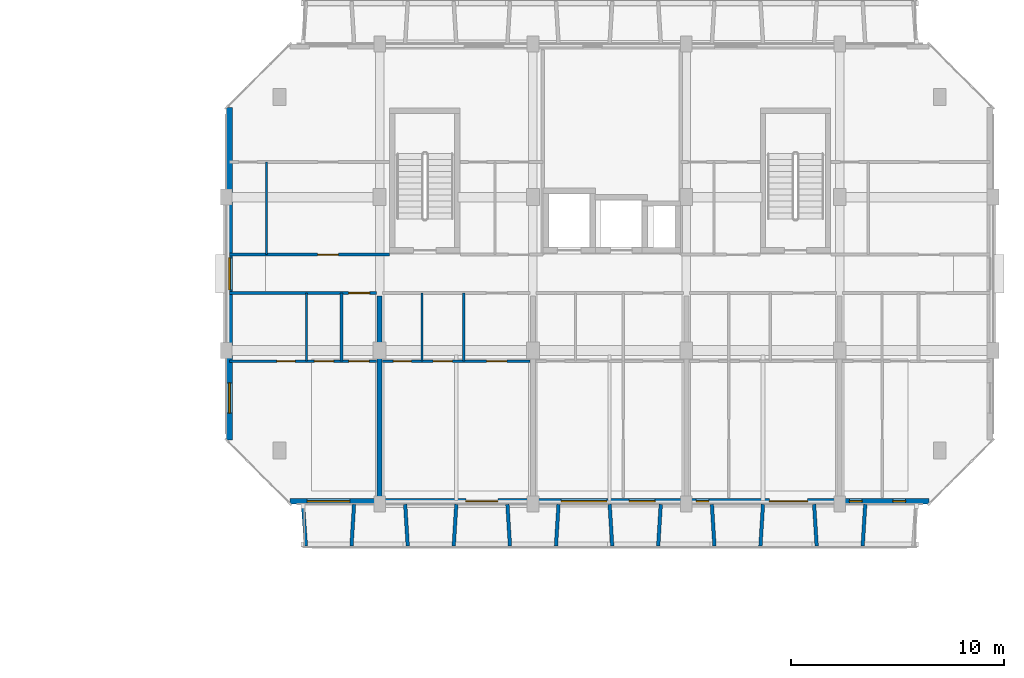
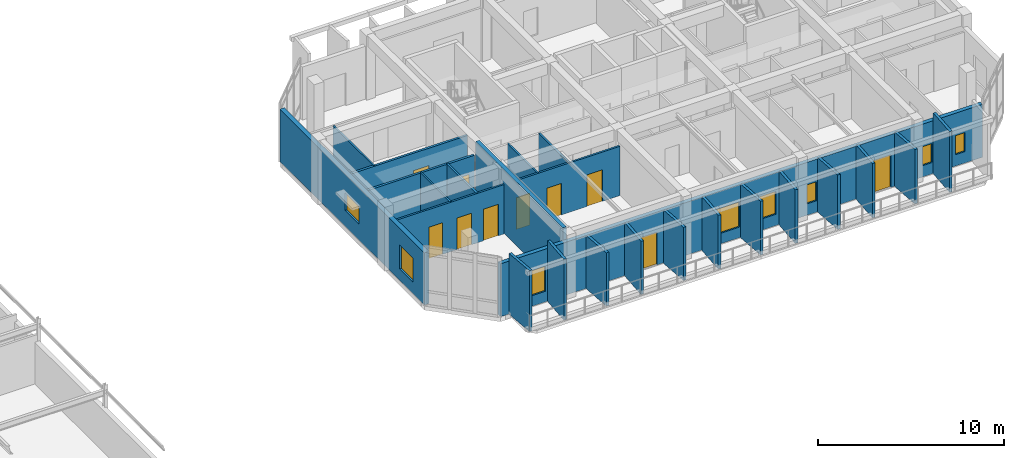
# One storey, part 56 of 85: 24 walls, 10 doors, 8 windows, 18 openings.
"""IFC4 building model written with IfcOpenShell, lengths in metres."""

from ifc_helpers import new_model, si_unit, direction, frame, frame_2d, origin, place, context, subcontext, project, spatial, rectangle, extrude, material, layer, layer_set, type_object, element, fill, save


model = new_model("IFC4")

# Units and contexts
model_context = context("Model", 3, precision=1e-05, world=origin(), true_north=direction((0.0, 1.0)))
body_context = subcontext(model_context, "Body", "Model", "MODEL_VIEW")
ifc_project = project(units=[si_unit("LENGTHUNIT", "METRE"), si_unit("AREAUNIT", "SQUARE_METRE"), si_unit("VOLUMEUNIT", "CUBIC_METRE"), si_unit("PLANEANGLEUNIT", "RADIAN"), si_unit("MASSUNIT", "GRAM", prefix="KILO")], contexts=[model_context])

# Site, building, storey
site_placement = place(None, origin())
site = spatial("IfcSite", under=ifc_project, at=site_placement, CompositionType="ELEMENT")
building_placement = place(site_placement, origin())
building = spatial("IfcBuilding", under=site, at=building_placement, Name="Ochrevale Crest", CompositionType="ELEMENT")
storey_placement = place(building_placement, frame((0.0, 0.0, 4.5)))
storey = spatial("IfcBuildingStorey", under=building, at=storey_placement, Name="L01", CompositionType="ELEMENT", Elevation=4.5)

# Wall, opening, door
ifc_material_1 = material(Name="Gypsum plasterboard", Category="gypsum")
ifc_layer_1 = layer(ifc_material_1, 0.139892578125)
ifc_layer_set_1 = layer_set([ifc_layer_1], Name="Gypsum plasterboard")
wall_type_1 = type_object("IfcWallType", Name="WL-COR-140", PredefinedType="PARTITIONING", material=ifc_layer_set_1)
wall_1_placement = place(storey_placement, frame((129.739990234375, 24.300048828125, 0.0), z_axis=(0.0, 0.0, 1.0), x_axis=(1.0, 0.0, 0.0)))
wall_1 = element("IfcWall", 1, at=wall_1_placement, inside=storey, type_object=wall_type_1, Name="Apartment C-L01-U1 corridor wall", PredefinedType="PARTITIONING", context=body_context, shape_type="SweptSolid", body=[
    extrude(rectangle(XDim=6.919921875, YDim=0.139892578125, at=frame_2d((3.4599609375, 0.0))), origin(), (0.0, 0.0, 1.0), 3.25),
])
opening_1_placement = place(wall_1_placement, frame((5.60498046875, 0.0, 0.0)))
opening_1 = element("IfcOpeningElement", 2, at=opening_1_placement, cuts=wall_1, Name="Opening FD01", PredefinedType="OPENING", context=body_context, shape_type="SweptSolid", body=[
    extrude(rectangle(XDim=0.97998046875, YDim=2.10009765625, at=frame_2d((0.489990234375, 1.050048828125))), frame((0.0, 0.080078125, 0.0), z_axis=(0.0, -1.0, 0.0), x_axis=(1.0, 0.0, 0.0)), (0.0, 0.0, 1.0), 0.159912109375),
])
ifc_material_2 = material(Name="Solid-core FSC hardwood", Category="wood")
door_type_1 = type_object("IfcDoorType", Name="DR-APT-950", OperationType="NOTDEFINED", PredefinedType="DOOR", material=ifc_material_2)
door_1_placement = place(opening_1_placement, origin())
door_1 = element("IfcDoor", 3, at=door_1_placement, inside=storey, type_object=door_type_1, Name="Apartment C-L01-U1 entrance door", OperationType="SINGLE_SWING_LEFT", OverallHeight=2.10009765625, OverallWidth=0.97998046875, PredefinedType="DOOR", context=body_context, shape_type="SweptSolid", body=[
    extrude(rectangle(XDim=0.97998046875, YDim=2.10009765625, at=frame_2d((0.489990234375, 1.050048828125))), frame((0.0, 0.02490234375, 0.0), z_axis=(0.0, -1.0, 0.0), x_axis=(1.0, 0.0, 0.0)), (0.0, 0.0, 1.0), 0.050048828125),
])
fill(opening_1, door_1)

wall_2_placement = place(storey_placement, frame((129.739990234375, 26.10009765625, 0.0), z_axis=(0.0, 0.0, 1.0), x_axis=(1.0, 0.0, 0.0)))
wall_2 = element("IfcWall", 4, at=wall_2_placement, inside=storey, type_object=wall_type_1, Name="Suite C-L01-CW corridor wall", PredefinedType="PARTITIONING", context=body_context, shape_type="SweptSolid", body=[
    extrude(rectangle(XDim=7.52001953125, YDim=0.139892578125, at=frame_2d((3.760009765625, 0.0))), origin(), (0.0, 0.0, 1.0), 3.25),
])
opening_2_placement = place(wall_2_placement, frame((5.125, 0.0, 0.0), z_axis=(0.0, 0.0, 1.0), x_axis=(-1.0, 0.0, 0.0)))
opening_2 = element("IfcOpeningElement", 5, at=opening_2_placement, cuts=wall_2, Name="Opening FD01", PredefinedType="OPENING", context=body_context, shape_type="SweptSolid", body=[
    extrude(rectangle(XDim=0.97998046875, YDim=2.10009765625, at=frame_2d((0.489990234375, 1.050048828125))), frame((0.0, 0.080078125, 0.0), z_axis=(0.0, -1.0, 0.0), x_axis=(1.0, 0.0, 0.0)), (0.0, 0.0, 1.0), 0.159912109375),
])
door_2_placement = place(opening_2_placement, origin())
door_2 = element("IfcDoor", 6, at=door_2_placement, inside=storey, type_object=door_type_1, Name="Suite C-L01-CW entrance door", OperationType="SINGLE_SWING_RIGHT", OverallHeight=2.10009765625, OverallWidth=0.97998046875, PredefinedType="DOOR", context=body_context, shape_type="SweptSolid", body=[
    extrude(rectangle(XDim=0.97998046875, YDim=2.10009765625, at=frame_2d((0.489990234375, 1.050048828125))), frame((0.0, 0.02490234375, 0.0), z_axis=(0.0, -1.0, 0.0), x_axis=(1.0, 0.0, 0.0)), (0.0, 0.0, 1.0), 0.050048828125),
])
fill(opening_2, door_2)

# Wall, openings, windows
ifc_material_3 = material(Name="Clay face brickwork", Category="masonry")
ifc_layer_2 = layer(ifc_material_3, 0.2900390625)
ifc_layer_set_2 = layer_set([ifc_layer_2], Name="Clay face brickwork")
wall_type_2 = type_object("IfcWallType", Name="WL-EXT-BRICK-290", PredefinedType="SOLIDWALL", material=ifc_layer_set_2)
wall_3_placement = place(storey_placement, frame((129.7451171875, 33.0, 0.0), z_axis=(0.0, 0.0, 1.0), x_axis=(0.0, -1.0, 0.0)))
wall_3 = element("IfcWall", 7, at=wall_3_placement, inside=storey, type_object=wall_type_2, Name="Block C L01 external facade wall E7", PredefinedType="SOLIDWALL", context=body_context, shape_type="SweptSolid", body=[
    extrude(rectangle(XDim=15.60009765625, YDim=0.2900390625, at=frame_2d((7.800048828125, 0.0))), origin(), (0.0, 0.0, 1.0), 3.429931640625),
])
opening_3_placement = place(wall_3_placement, frame((7.050048828125, 0.0, 1.050048828125)))
opening_3 = element("IfcOpeningElement", 8, at=opening_3_placement, cuts=wall_3, Name="Opening W18", PredefinedType="OPENING", context=body_context, shape_type="SweptSolid", body=[
    extrude(rectangle(XDim=1.5, YDim=1.14990234375, at=frame_2d((0.75, 0.574951171875))), frame((0.0, 0.155029296875, 0.0), z_axis=(0.0, -1.0, 0.0), x_axis=(1.0, 0.0, 0.0)), (0.0, 0.0, 1.0), 0.31005859375),
])
opening_4_placement = place(wall_3_placement, frame((12.925048828125, 0.0, 0.75)))
opening_4 = element("IfcOpeningElement", 9, at=opening_4_placement, cuts=wall_3, Name="Opening W31", PredefinedType="OPENING", context=body_context, shape_type="SweptSolid", body=[
    extrude(rectangle(XDim=1.419921875, YDim=1.60009765625, at=frame_2d((0.7099609375, 0.800048828125))), frame((0.0, 0.155029296875, 0.0), z_axis=(0.0, -1.0, 0.0), x_axis=(1.0, 0.0, 0.0)), (0.0, 0.0, 1.0), 0.31005859375),
])
ifc_material_4 = material(Name="Anodised aluminium 6063-T5 and low-E double glazing", Category="aluminium")
window_type_1 = type_object("IfcWindowType", Name="WIN-W18", PartitioningType="SINGLE_PANEL", PredefinedType="WINDOW", material=ifc_material_4)
window_1_placement = place(opening_3_placement, origin())
window_1 = element("IfcWindow", 10, at=window_1_placement, inside=storey, type_object=window_type_1, Name="Block C L01 corridor end daylight window W", OverallHeight=1.14990234375, OverallWidth=1.5, PartitioningType="SINGLE_PANEL", PredefinedType="WINDOW", context=body_context, shape_type="SweptSolid", body=[
    extrude(rectangle(XDim=1.5, YDim=1.14990234375, at=frame_2d((0.75, 0.574951171875))), frame((0.0, 0.030029296875, 0.0), z_axis=(0.0, -1.0, 0.0), x_axis=(1.0, 0.0, 0.0)), (0.0, 0.0, 1.0), 0.06005859375),
])
fill(opening_3, window_1)
window_type_2 = type_object("IfcWindowType", Name="WIN-W31", PartitioningType="SINGLE_PANEL", PredefinedType="WINDOW", material=ifc_material_4)
window_2_placement = place(opening_4_placement, origin())
window_2 = element("IfcWindow", 11, at=window_2_placement, inside=storey, type_object=window_type_2, Name="Block C L01 side suite window W", OverallHeight=1.60009765625, OverallWidth=1.419921875, PartitioningType="SINGLE_PANEL", PredefinedType="WINDOW", context=body_context, shape_type="SweptSolid", body=[
    extrude(rectangle(XDim=1.419921875, YDim=1.60009765625, at=frame_2d((0.7099609375, 0.800048828125))), frame((0.0, 0.030029296875, 0.0), z_axis=(0.0, -1.0, 0.0), x_axis=(1.0, 0.0, 0.0)), (0.0, 0.0, 1.0), 0.06005859375),
])
fill(opening_4, window_2)

# Wall, openings, doors, windows
ifc_material_5 = material(Name="Precast concrete C40/50", Category="concrete")
ifc_layer_3 = layer(ifc_material_5, 0.25)
ifc_layer_set_3 = layer_set([ifc_layer_3], Name="Precast concrete C40/50")
wall_type_3 = type_object("IfcWallType", Name="WL-EXT-GOLD-250", PredefinedType="SOLIDWALL", material=ifc_layer_set_3)
wall_4_placement = place(storey_placement, frame((132.60009765625, 14.52490234375, 0.0), z_axis=(0.0, 0.0, 1.0), x_axis=(1.0, 0.0, 0.0)))
wall_4 = element("IfcWall", 12, at=wall_4_placement, inside=storey, type_object=wall_type_3, Name="Block C L01 external facade wall E1", PredefinedType="SOLIDWALL", context=body_context, shape_type="SweptSolid", body=[
    extrude(rectangle(XDim=30.0, YDim=0.25, at=frame_2d((15.0, 0.0))), origin(), (0.0, 0.0, 1.0), 3.47998046875),
])
opening_5_placement = place(wall_4_placement, frame((9.75, 0.0, 0.0), z_axis=(0.0, 0.0, 1.0), x_axis=(-1.0, 0.0, 0.0)))
opening_5 = element("IfcOpeningElement", 13, at=opening_5_placement, cuts=wall_4, Name="Opening BD01", PredefinedType="OPENING", context=body_context, shape_type="SweptSolid", body=[
    extrude(rectangle(XDim=1.5, YDim=2.14990234375, at=frame_2d((0.75, 1.074951171875))), frame((0.0, 0.135009765625, 0.0), z_axis=(0.0, -1.0, 0.0), x_axis=(1.0, 0.0, 0.0)), (0.0, 0.0, 1.0), 0.27001953125),
])
opening_6_placement = place(wall_4_placement, frame((24.300048828125, 0.0, 0.0), z_axis=(0.0, 0.0, 1.0), x_axis=(-1.0, 0.0, 0.0)))
opening_6 = element("IfcOpeningElement", 14, at=opening_6_placement, cuts=wall_4, Name="Opening BD03", PredefinedType="OPENING", context=body_context, shape_type="SweptSolid", body=[
    extrude(rectangle(XDim=1.800048828125, YDim=2.14990234375, at=frame_2d((0.89990234375, 1.074951171875))), frame((0.0, 0.135009765625, 0.0), z_axis=(0.0, -1.0, 0.0), x_axis=(1.0, 0.0, 0.0)), (0.0, 0.0, 1.0), 0.27001953125),
])
opening_7_placement = place(wall_4_placement, frame((0.800048828125, 0.0, 0.699951171875)))
opening_7 = element("IfcOpeningElement", 15, at=opening_7_placement, cuts=wall_4, Name="Opening W12", PredefinedType="OPENING", context=body_context, shape_type="SweptSolid", body=[
    extrude(rectangle(XDim=2.0, YDim=1.64990234375, at=frame_2d((1.0, 0.824951171875))), frame((0.0, 0.135009765625, 0.0), z_axis=(0.0, -1.0, 0.0), x_axis=(1.0, 0.0, 0.0)), (0.0, 0.0, 1.0), 0.27001953125),
])
opening_8_placement = place(wall_4_placement, frame((12.72509765625, 0.0, 0.699951171875)))
opening_8 = element("IfcOpeningElement", 16, at=opening_8_placement, cuts=wall_4, Name="Opening W13", PredefinedType="OPENING", context=body_context, shape_type="SweptSolid", body=[
    extrude(rectangle(XDim=2.14990234375, YDim=1.64990234375, at=frame_2d((1.074951171875, 0.824951171875))), frame((0.0, 0.135009765625, 0.0), z_axis=(0.0, -1.0, 0.0), x_axis=(1.0, 0.0, 0.0)), (0.0, 0.0, 1.0), 0.27001953125),
])
opening_9_placement = place(wall_4_placement, frame((15.9150390625, 0.0, 0.75)))
opening_9 = element("IfcOpeningElement", 17, at=opening_9_placement, cuts=wall_4, Name="Opening W06", PredefinedType="OPENING", context=body_context, shape_type="SweptSolid", body=[
    extrude(rectangle(XDim=1.219970703125, YDim=1.5, at=frame_2d((0.60986328125, 0.75))), frame((0.0, 0.135009765625, 0.0), z_axis=(0.0, -1.0, 0.0), x_axis=(1.0, 0.0, 0.0)), (0.0, 0.0, 1.0), 0.27001953125),
])
opening_10_placement = place(wall_4_placement, frame((19.0576171875, 0.0, 0.75)))
opening_10 = element("IfcOpeningElement", 18, at=opening_10_placement, cuts=wall_4, Name="Opening W01", PredefinedType="OPENING", context=body_context, shape_type="SweptSolid", body=[
    extrude(rectangle(XDim=0.60009765625, YDim=1.25, at=frame_2d((0.300048828125, 0.625))), frame((0.0, 0.135009765625, 0.0), z_axis=(0.0, -1.0, 0.0), x_axis=(1.0, 0.0, 0.0)), (0.0, 0.0, 1.0), 0.27001953125),
])
opening_11_placement = place(wall_4_placement, frame((26.257568359375, 0.0, 0.75)))
opening_11 = element("IfcOpeningElement", 19, at=opening_11_placement, cuts=wall_4, Name="Opening W01", PredefinedType="OPENING", context=body_context, shape_type="SweptSolid", body=[
    extrude(rectangle(XDim=0.60009765625, YDim=1.25, at=frame_2d((0.300048828125, 0.625))), frame((0.0, 0.135009765625, 0.0), z_axis=(0.0, -1.0, 0.0), x_axis=(1.0, 0.0, 0.0)), (0.0, 0.0, 1.0), 0.27001953125),
])
opening_12_placement = place(wall_4_placement, frame((28.300048828125, 0.0, 0.75)))
opening_12 = element("IfcOpeningElement", 20, at=opening_12_placement, cuts=wall_4, Name="Opening W01", PredefinedType="OPENING", context=body_context, shape_type="SweptSolid", body=[
    extrude(rectangle(XDim=0.60009765625, YDim=1.25, at=frame_2d((0.300048828125, 0.625))), frame((0.0, 0.135009765625, 0.0), z_axis=(0.0, -1.0, 0.0), x_axis=(1.0, 0.0, 0.0)), (0.0, 0.0, 1.0), 0.27001953125),
])
ifc_material_6 = material(Name="Anodised aluminium 6063-T5 and toughened glass", Category="aluminium")
door_type_2 = type_object("IfcDoorType", Name="DR-BAL-1500", OperationType="NOTDEFINED", PredefinedType="DOOR", material=ifc_material_6)
door_3_placement = place(opening_5_placement, origin())
door_3 = element("IfcDoor", 21, at=door_3_placement, inside=storey, type_object=door_type_2, Name="Block C L01 balcony door S2", OperationType="SINGLE_SWING_RIGHT", OverallHeight=2.14990234375, OverallWidth=1.5, PredefinedType="DOOR", context=body_context, shape_type="SweptSolid", body=[
    extrude(rectangle(XDim=1.5, YDim=2.14990234375, at=frame_2d((0.75, 1.074951171875))), frame((0.0, 0.02490234375, 0.0), z_axis=(0.0, -1.0, 0.0), x_axis=(1.0, 0.0, 0.0)), (0.0, 0.0, 1.0), 0.050048828125),
])
fill(opening_5, door_3)
door_type_3 = type_object("IfcDoorType", Name="DR-BAL-1800", OperationType="NOTDEFINED", PredefinedType="DOOR", material=ifc_material_6)
door_4_placement = place(opening_6_placement, origin())
door_4 = element("IfcDoor", 22, at=door_4_placement, inside=storey, type_object=door_type_3, Name="Block C L01 balcony door S4", OperationType="SINGLE_SWING_LEFT", OverallHeight=2.14990234375, OverallWidth=1.800048828125, PredefinedType="DOOR", context=body_context, shape_type="SweptSolid", body=[
    extrude(rectangle(XDim=1.800048828125, YDim=2.14990234375, at=frame_2d((0.89990234375, 1.074951171875))), frame((0.0, 0.02490234375, 0.0), z_axis=(0.0, -1.0, 0.0), x_axis=(1.0, 0.0, 0.0)), (0.0, 0.0, 1.0), 0.050048828125),
])
fill(opening_6, door_4)
window_type_3 = type_object("IfcWindowType", Name="WIN-W01", PartitioningType="SINGLE_PANEL", PredefinedType="WINDOW", material=ifc_material_4)
window_3_placement = place(opening_10_placement, origin())
window_3 = element("IfcWindow", 23, at=window_3_placement, inside=storey, type_object=window_type_3, Name="Block C L01 Apartment C-L01-U4 Master Bedroom window", OverallHeight=1.25, OverallWidth=0.60009765625, PartitioningType="SINGLE_PANEL", PredefinedType="WINDOW", context=body_context, shape_type="SweptSolid", body=[
    extrude(rectangle(XDim=0.60009765625, YDim=1.25, at=frame_2d((0.300048828125, 0.625))), frame((0.0, 0.030029296875, 0.0), z_axis=(0.0, -1.0, 0.0), x_axis=(1.0, 0.0, 0.0)), (0.0, 0.0, 1.0), 0.06005859375),
])
fill(opening_10, window_3)
window_4_placement = place(opening_11_placement, origin())
window_4 = element("IfcWindow", 24, at=window_4_placement, inside=storey, type_object=window_type_3, Name="Block C L01 Apartment C-L01-U5 Twin Bedroom window", OverallHeight=1.25, OverallWidth=0.60009765625, PartitioningType="SINGLE_PANEL", PredefinedType="WINDOW", context=body_context, shape_type="SweptSolid", body=[
    extrude(rectangle(XDim=0.60009765625, YDim=1.25, at=frame_2d((0.300048828125, 0.625))), frame((0.0, 0.030029296875, 0.0), z_axis=(0.0, -1.0, 0.0), x_axis=(1.0, 0.0, 0.0)), (0.0, 0.0, 1.0), 0.06005859375),
])
fill(opening_11, window_4)
window_5_placement = place(opening_12_placement, origin())
window_5 = element("IfcWindow", 25, at=window_5_placement, inside=storey, type_object=window_type_3, Name="Block C L01 Apartment C-L01-U5 Three Bedroom Family Living window", OverallHeight=1.25, OverallWidth=0.60009765625, PartitioningType="SINGLE_PANEL", PredefinedType="WINDOW", context=body_context, shape_type="SweptSolid", body=[
    extrude(rectangle(XDim=0.60009765625, YDim=1.25, at=frame_2d((0.300048828125, 0.625))), frame((0.0, 0.030029296875, 0.0), z_axis=(0.0, -1.0, 0.0), x_axis=(1.0, 0.0, 0.0)), (0.0, 0.0, 1.0), 0.06005859375),
])
fill(opening_12, window_5)
window_type_4 = type_object("IfcWindowType", Name="WIN-W06", PartitioningType="SINGLE_PANEL", PredefinedType="WINDOW", material=ifc_material_4)
window_6_placement = place(opening_9_placement, origin())
window_6 = element("IfcWindow", 26, at=window_6_placement, inside=storey, type_object=window_type_4, Name="Block C L01 Apartment C-L01-U3 Two Bedroom Living Room window", OverallHeight=1.5, OverallWidth=1.219970703125, PartitioningType="SINGLE_PANEL", PredefinedType="WINDOW", context=body_context, shape_type="SweptSolid", body=[
    extrude(rectangle(XDim=1.219970703125, YDim=1.5, at=frame_2d((0.60986328125, 0.75))), frame((0.0, 0.030029296875, 0.0), z_axis=(0.0, -1.0, 0.0), x_axis=(1.0, 0.0, 0.0)), (0.0, 0.0, 1.0), 0.06005859375),
])
fill(opening_9, window_6)
window_type_5 = type_object("IfcWindowType", Name="WIN-W12", PartitioningType="SINGLE_PANEL", PredefinedType="WINDOW", material=ifc_material_4)
window_7_placement = place(opening_7_placement, origin())
window_7 = element("IfcWindow", 27, at=window_7_placement, inside=storey, type_object=window_type_5, Name="Block C L01 Studio C-L01-U1 Living Room window", OverallHeight=1.64990234375, OverallWidth=2.0, PartitioningType="SINGLE_PANEL", PredefinedType="WINDOW", context=body_context, shape_type="SweptSolid", body=[
    extrude(rectangle(XDim=2.0, YDim=1.64990234375, at=frame_2d((1.0, 0.824951171875))), frame((0.0, 0.030029296875, 0.0), z_axis=(0.0, -1.0, 0.0), x_axis=(1.0, 0.0, 0.0)), (0.0, 0.0, 1.0), 0.06005859375),
])
fill(opening_7, window_7)
window_type_6 = type_object("IfcWindowType", Name="WIN-W13", PartitioningType="SINGLE_PANEL", PredefinedType="WINDOW", material=ifc_material_4)
window_8_placement = place(opening_8_placement, origin())
window_8 = element("IfcWindow", 28, at=window_8_placement, inside=storey, type_object=window_type_6, Name="Block C L01 Apartment C-L01-U3 Double Bedroom window", OverallHeight=1.64990234375, OverallWidth=2.14990234375, PartitioningType="SINGLE_PANEL", PredefinedType="WINDOW", context=body_context, shape_type="SweptSolid", body=[
    extrude(rectangle(XDim=2.14990234375, YDim=1.64990234375, at=frame_2d((1.074951171875, 0.824951171875))), frame((0.0, 0.030029296875, 0.0), z_axis=(0.0, -1.0, 0.0), x_axis=(1.0, 0.0, 0.0)), (0.0, 0.0, 1.0), 0.06005859375),
])
fill(opening_8, window_8)

# Walls
ifc_layer_4 = layer(ifc_material_5, 0.1650390625)
ifc_layer_set_4 = layer_set([ifc_layer_4], Name="Precast concrete C40/50")
wall_type_4 = type_object("IfcWallType", Name="WL-HC-CHEEK-165", PredefinedType="ELEMENTEDWALL", material=ifc_layer_set_4)
wall_5_placement = place(storey_placement, frame((133.199951171875, 14.3798828125, 0.0), z_axis=(0.0, 0.0, 1.0), x_axis=(0.071317687608, -0.997453651772, 0.0)))
element("IfcWall", 29, at=wall_5_placement, inside=storey, type_object=wall_type_4, Name="Block C L01 S precast honeycomb cheek 1", PredefinedType="ELEMENTEDWALL", context=body_context, shape_type="SweptSolid", body=[
    extrude(rectangle(XDim=1.96484375, YDim=0.1650390625, at=frame_2d((0.982421875, 0.0))), origin(), (0.0, 0.0, 1.0), 4.0),
])
wall_6_placement = place(storey_placement, frame((135.60009765625, 14.3798828125, 0.0), z_axis=(0.0, 0.0, 1.0), x_axis=(-0.061170732449, -0.998127317276, 0.0)))
element("IfcWall", 30, at=wall_6_placement, inside=storey, type_object=wall_type_4, Name="Block C L01 S precast honeycomb cheek 2", PredefinedType="ELEMENTEDWALL", context=body_context, shape_type="SweptSolid", body=[
    extrude(rectangle(XDim=1.963623046875, YDim=0.1650390625, at=frame_2d((0.98193359375, 0.0))), origin(), (0.0, 0.0, 1.0), 4.0),
])
for number, where, z_axis, x_axis, name in (
    (31, (138.0, 14.3798828125, 0.0), (0.0, 0.0, 1.0), (0.061170732449, -0.998127317276, 0.0), "Block C L01 S precast honeycomb cheek 3"),
    (32, (140.39990234375, 14.3798828125, 0.0), (0.0, 0.0, 1.0), (-0.061046865508, -0.998134900808, 0.0), "Block C L01 S precast honeycomb cheek 4"),
    (33, (142.800048828125, 14.3798828125, 0.0), (0.0, 0.0, 1.0), (0.061046865508, -0.998134900808, 0.0), "Block C L01 S precast honeycomb cheek 5"),
):
    element("IfcWall", number, at=place(storey_placement, frame(where, z_axis=z_axis, x_axis=x_axis)), inside=storey, type_object=wall_type_4, Name=name, PredefinedType="ELEMENTEDWALL", context=body_context, shape_type="SweptSolid", body=[
        extrude(rectangle(XDim=1.963623046875, YDim=0.1650390625, at=frame_2d((0.98193359375, 0.0))), origin(), (0.0, 0.0, 1.0), 3.5),
    ])
for number, where, z_axis, x_axis, name in (
    (34, (145.199951171875, 14.3798828125, 0.0), (0.0, 0.0, 1.0), (-0.061046865508, -0.998134900808, 0.0), "Block C L01 S precast honeycomb cheek 6"),
    (35, (147.60009765625, 14.3798828125, 0.0), (0.0, 0.0, 1.0), (0.061046865508, -0.998134900808, 0.0), "Block C L01 S precast honeycomb cheek 7"),
    (36, (150.0, 14.3798828125, 0.0), (0.0, 0.0, 1.0), (-0.061170732449, -0.998127317276, 0.0), "Block C L01 S precast honeycomb cheek 8"),
):
    element("IfcWall", number, at=place(storey_placement, frame(where, z_axis=z_axis, x_axis=x_axis)), inside=storey, type_object=wall_type_4, Name=name, PredefinedType="ELEMENTEDWALL", context=body_context, shape_type="SweptSolid", body=[
        extrude(rectangle(XDim=1.963623046875, YDim=0.1650390625, at=frame_2d((0.98193359375, 0.0))), origin(), (0.0, 0.0, 1.0), 3.530029296875),
    ])
for number, where, z_axis, x_axis, name in (
    (37, (152.39990234375, 14.3798828125, 0.0), (0.0, 0.0, 1.0), (0.061170732449, -0.998127317276, 0.0), "Block C L01 S precast honeycomb cheek 9"),
    (38, (154.800048828125, 14.3798828125, 0.0), (0.0, 0.0, 1.0), (-0.061170732449, -0.998127317276, 0.0), "Block C L01 S precast honeycomb cheek 10"),
    (39, (157.199951171875, 14.3798828125, 0.0), (0.0, 0.0, 1.0), (0.061170732449, -0.998127317276, 0.0), "Block C L01 S precast honeycomb cheek 11"),
):
    element("IfcWall", number, at=place(storey_placement, frame(where, z_axis=z_axis, x_axis=x_axis)), inside=storey, type_object=wall_type_4, Name=name, PredefinedType="ELEMENTEDWALL", context=body_context, shape_type="SweptSolid", body=[
        extrude(rectangle(XDim=1.963623046875, YDim=0.1650390625, at=frame_2d((0.98193359375, 0.0))), origin(), (0.0, 0.0, 1.0), 3.580078125),
    ])
wall_7_placement = place(storey_placement, frame((159.60009765625, 14.3798828125, 0.0), z_axis=(0.0, 0.0, 1.0), x_axis=(-0.061170732449, -0.998127317276, 0.0)))
element("IfcWall", 40, at=wall_7_placement, inside=storey, type_object=wall_type_4, Name="Block C L01 S precast honeycomb cheek 12", PredefinedType="ELEMENTEDWALL", context=body_context, shape_type="SweptSolid", body=[
    extrude(rectangle(XDim=1.963623046875, YDim=0.1650390625, at=frame_2d((0.98193359375, 0.0))), origin(), (0.0, 0.0, 1.0), 4.0),
])
ifc_layer_5 = layer(ifc_material_1, 0.1201171875)
ifc_layer_set_5 = layer_set([ifc_layer_5], Name="Gypsum plasterboard")
wall_type_5 = type_object("IfcWallType", Name="WL-PART-120", PredefinedType="PARTITIONING", material=ifc_layer_set_5)
wall_8_placement = place(storey_placement, frame((135.010009765625, 21.10009765625, 0.0), z_axis=(0.0, 0.0, 1.0), x_axis=(0.0, 1.0, 0.0)))
element("IfcWall", 41, at=wall_8_placement, inside=storey, type_object=wall_type_5, Name="Apartment C-L01-U1 kitchen-foyer wall", PredefinedType="PARTITIONING", context=body_context, shape_type="SweptSolid", body=[
    extrude(rectangle(XDim=3.199951171875, YDim=0.1201171875, at=frame_2d((1.60009765625, 0.0))), origin(), (0.0, 0.0, 1.0), 3.25),
])

# Wall, openings, doors
wall_9_placement = place(storey_placement, frame((129.739990234375, 21.10009765625, 0.0), z_axis=(0.0, 0.0, 1.0), x_axis=(1.0, 0.0, 0.0)))
wall_9 = element("IfcWall", 42, at=wall_9_placement, inside=storey, type_object=wall_type_5, Name="Apartment C-L01-U1 central partition", PredefinedType="PARTITIONING", context=body_context, shape_type="SweptSolid", body=[
    extrude(rectangle(XDim=6.919921875, YDim=0.1201171875, at=frame_2d((3.4599609375, 0.0))), origin(), (0.0, 0.0, 1.0), 3.25),
])
opening_13_placement = place(wall_9_placement, frame((3.090087890625, 0.0, 0.0), z_axis=(0.0, 0.0, 1.0), x_axis=(-1.0, 0.0, 0.0)))
opening_13 = element("IfcOpeningElement", 43, at=opening_13_placement, cuts=wall_9, Name="Opening ID01", PredefinedType="OPENING", context=body_context, shape_type="SweptSolid", body=[
    extrude(rectangle(XDim=0.85009765625, YDim=2.080078125, at=frame_2d((0.425048828125, 1.0400390625))), frame((0.0, 0.070068359375, 0.0), z_axis=(0.0, -1.0, 0.0), x_axis=(1.0, 0.0, 0.0)), (0.0, 0.0, 1.0), 0.14013671875),
])
opening_14_placement = place(wall_9_placement, frame((3.9951171875, 0.0, 0.0)))
opening_14 = element("IfcOpeningElement", 44, at=opening_14_placement, cuts=wall_9, Name="Opening ID02", PredefinedType="OPENING", context=body_context, shape_type="SweptSolid", body=[
    extrude(rectangle(XDim=0.89990234375, YDim=2.080078125, at=frame_2d((0.449951171875, 1.0400390625))), frame((0.0, 0.070068359375, 0.0), z_axis=(0.0, -1.0, 0.0), x_axis=(1.0, 0.0, 0.0)), (0.0, 0.0, 1.0), 0.14013671875),
])
opening_15_placement = place(wall_9_placement, frame((6.570068359375, 0.0, 0.0), z_axis=(0.0, 0.0, 1.0), x_axis=(-1.0, 0.0, 0.0)))
opening_15 = element("IfcOpeningElement", 45, at=opening_15_placement, cuts=wall_9, Name="Opening ID06", PredefinedType="OPENING", context=body_context, shape_type="SweptSolid", body=[
    extrude(rectangle(XDim=0.949951171875, YDim=2.080078125, at=frame_2d((0.47509765625, 1.0400390625))), frame((0.0, 0.070068359375, 0.0), z_axis=(0.0, -1.0, 0.0), x_axis=(1.0, 0.0, 0.0)), (0.0, 0.0, 1.0), 0.14013671875),
])
door_type_4 = type_object("IfcDoorType", Name="DR-INT-900", OperationType="NOTDEFINED", PredefinedType="DOOR", material=ifc_material_2)
door_5_placement = place(opening_14_placement, origin())
door_5 = element("IfcDoor", 46, at=door_5_placement, inside=storey, type_object=door_type_4, Name="Apartment C-L01-U1 Kitchen door", OperationType="SINGLE_SWING_LEFT", OverallHeight=2.080078125, OverallWidth=0.89990234375, PredefinedType="DOOR", context=body_context, shape_type="SweptSolid", body=[
    extrude(rectangle(XDim=0.89990234375, YDim=2.080078125, at=frame_2d((0.449951171875, 1.0400390625))), frame((0.0, 0.02490234375, 0.0), z_axis=(0.0, -1.0, 0.0), x_axis=(1.0, 0.0, 0.0)), (0.0, 0.0, 1.0), 0.050048828125),
])
fill(opening_14, door_5)
door_type_5 = type_object("IfcDoorType", Name="DR-INT-950", OperationType="NOTDEFINED", PredefinedType="DOOR", material=ifc_material_2)
door_6_placement = place(opening_15_placement, origin())
door_6 = element("IfcDoor", 47, at=door_6_placement, inside=storey, type_object=door_type_5, Name="Apartment C-L01-U1 Living Foyer door", OperationType="SINGLE_SWING_RIGHT", OverallHeight=2.080078125, OverallWidth=0.949951171875, PredefinedType="DOOR", context=body_context, shape_type="SweptSolid", body=[
    extrude(rectangle(XDim=0.949951171875, YDim=2.080078125, at=frame_2d((0.47509765625, 1.0400390625))), frame((0.0, 0.02490234375, 0.0), z_axis=(0.0, -1.0, 0.0), x_axis=(1.0, 0.0, 0.0)), (0.0, 0.0, 1.0), 0.050048828125),
])
fill(opening_15, door_6)
door_type_6 = type_object("IfcDoorType", Name="DR-WC-850", OperationType="NOTDEFINED", PredefinedType="DOOR", material=ifc_material_2)
door_7_placement = place(opening_13_placement, origin())
door_7 = element("IfcDoor", 48, at=door_7_placement, inside=storey, type_object=door_type_6, Name="Apartment C-L01-U1 Bathroom door", OperationType="SINGLE_SWING_RIGHT", OverallHeight=2.080078125, OverallWidth=0.85009765625, PredefinedType="DOOR", context=body_context, shape_type="SweptSolid", body=[
    extrude(rectangle(XDim=0.85009765625, YDim=2.080078125, at=frame_2d((0.425048828125, 1.0400390625))), frame((0.0, 0.02490234375, 0.0), z_axis=(0.0, -1.0, 0.0), x_axis=(1.0, 0.0, 0.0)), (0.0, 0.0, 1.0), 0.050048828125),
])
fill(opening_13, door_7)

# Wall
wall_10_placement = place(storey_placement, frame((140.739990234375, 21.10009765625, 0.0), z_axis=(0.0, 0.0, 1.0), x_axis=(0.0, 1.0, 0.0)))
element("IfcWall", 49, at=wall_10_placement, inside=storey, type_object=wall_type_5, Name="Apartment C-L01-U2 kitchen-foyer wall", PredefinedType="PARTITIONING", context=body_context, shape_type="SweptSolid", body=[
    extrude(rectangle(XDim=3.199951171875, YDim=0.1201171875, at=frame_2d((1.60009765625, 0.0))), origin(), (0.0, 0.0, 1.0), 3.25),
])

# Wall, openings, doors
wall_11_placement = place(storey_placement, frame((136.93994140625, 21.10009765625, 0.0), z_axis=(0.0, 0.0, 1.0), x_axis=(1.0, 0.0, 0.0)))
wall_11 = element("IfcWall", 50, at=wall_11_placement, inside=storey, type_object=wall_type_5, Name="Apartment C-L01-U2 central partition", PredefinedType="PARTITIONING", context=body_context, shape_type="SweptSolid", body=[
    extrude(rectangle(XDim=6.920166015625, YDim=0.1201171875, at=frame_2d((3.4599609375, 0.0))), origin(), (0.0, 0.0, 1.0), 3.25),
])
opening_16_placement = place(wall_11_placement, frame((1.35009765625, 0.0, 0.0), z_axis=(0.0, 0.0, 1.0), x_axis=(-1.0, 0.0, 0.0)))
opening_16 = element("IfcOpeningElement", 51, at=opening_16_placement, cuts=wall_11, Name="Opening ID01", PredefinedType="OPENING", context=body_context, shape_type="SweptSolid", body=[
    extrude(rectangle(XDim=0.85009765625, YDim=2.080078125, at=frame_2d((0.425048828125, 1.0400390625))), frame((0.0, 0.070068359375, 0.0), z_axis=(0.0, -1.0, 0.0), x_axis=(1.0, 0.0, 0.0)), (0.0, 0.0, 1.0), 0.14013671875),
])
opening_17_placement = place(wall_11_placement, frame((2.375, 0.0, 0.0)))
opening_17 = element("IfcOpeningElement", 52, at=opening_17_placement, cuts=wall_11, Name="Opening ID02", PredefinedType="OPENING", context=body_context, shape_type="SweptSolid", body=[
    extrude(rectangle(XDim=0.89990234375, YDim=2.080078125, at=frame_2d((0.449951171875, 1.0400390625))), frame((0.0, 0.070068359375, 0.0), z_axis=(0.0, -1.0, 0.0), x_axis=(1.0, 0.0, 0.0)), (0.0, 0.0, 1.0), 0.14013671875),
])
opening_18_placement = place(wall_11_placement, frame((5.8349609375, 0.0, 0.0), z_axis=(0.0, 0.0, 1.0), x_axis=(-1.0, 0.0, 0.0)))
opening_18 = element("IfcOpeningElement", 53, at=opening_18_placement, cuts=wall_11, Name="Opening ID06", PredefinedType="OPENING", context=body_context, shape_type="SweptSolid", body=[
    extrude(rectangle(XDim=0.949951171875, YDim=2.080078125, at=frame_2d((0.47509765625, 1.0400390625))), frame((0.0, 0.070068359375, 0.0), z_axis=(0.0, -1.0, 0.0), x_axis=(1.0, 0.0, 0.0)), (0.0, 0.0, 1.0), 0.14013671875),
])
door_8_placement = place(opening_17_placement, origin())
door_8 = element("IfcDoor", 54, at=door_8_placement, inside=storey, type_object=door_type_4, Name="Apartment C-L01-U2 Kitchen door", OperationType="SINGLE_SWING_LEFT", OverallHeight=2.080078125, OverallWidth=0.89990234375, PredefinedType="DOOR", context=body_context, shape_type="SweptSolid", body=[
    extrude(rectangle(XDim=0.89990234375, YDim=2.080078125, at=frame_2d((0.449951171875, 1.0400390625))), frame((0.0, 0.02490234375, 0.0), z_axis=(0.0, -1.0, 0.0), x_axis=(1.0, 0.0, 0.0)), (0.0, 0.0, 1.0), 0.050048828125),
])
fill(opening_17, door_8)
door_9_placement = place(opening_18_placement, origin())
door_9 = element("IfcDoor", 55, at=door_9_placement, inside=storey, type_object=door_type_5, Name="Apartment C-L01-U2 Living Foyer door", OperationType="SINGLE_SWING_RIGHT", OverallHeight=2.080078125, OverallWidth=0.949951171875, PredefinedType="DOOR", context=body_context, shape_type="SweptSolid", body=[
    extrude(rectangle(XDim=0.949951171875, YDim=2.080078125, at=frame_2d((0.47509765625, 1.0400390625))), frame((0.0, 0.02490234375, 0.0), z_axis=(0.0, -1.0, 0.0), x_axis=(1.0, 0.0, 0.0)), (0.0, 0.0, 1.0), 0.050048828125),
])
fill(opening_18, door_9)
door_10_placement = place(opening_16_placement, origin())
door_10 = element("IfcDoor", 56, at=door_10_placement, inside=storey, type_object=door_type_6, Name="Apartment C-L01-U2 Bathroom door", OperationType="SINGLE_SWING_RIGHT", OverallHeight=2.080078125, OverallWidth=0.85009765625, PredefinedType="DOOR", context=body_context, shape_type="SweptSolid", body=[
    extrude(rectangle(XDim=0.85009765625, YDim=2.080078125, at=frame_2d((0.425048828125, 1.0400390625))), frame((0.0, 0.02490234375, 0.0), z_axis=(0.0, -1.0, 0.0), x_axis=(1.0, 0.0, 0.0)), (0.0, 0.0, 1.0), 0.050048828125),
])
fill(opening_16, door_10)

# Walls
ifc_material_7 = material(Name="Precast concrete C50/60", Category="concrete")
ifc_layer_6 = layer(ifc_material_7, 0.239990234375)
ifc_layer_set_6 = layer_set([ifc_layer_6], Name="Precast concrete C50/60")
wall_type_6 = type_object("IfcWallType", Name="WL-SHEAR-240", PredefinedType="SHEAR", material=ifc_layer_set_6)
wall_12_placement = place(storey_placement, frame((136.800048828125, 14.75, 0.0), z_axis=(0.0, 0.0, 1.0), x_axis=(0.0, 1.0, 0.0)))
element("IfcWall", 57, at=wall_12_placement, inside=storey, type_object=wall_type_6, Name="Block C L01 load-bearing precast cross-wall X=136.8", PredefinedType="SHEAR", context=body_context, shape_type="SweptSolid", body=[
    extrude(rectangle(XDim=9.39990234375, YDim=0.239990234375, at=frame_2d((4.699951171875, 0.0))), origin(), (0.0, 0.0, 1.0), 4.199951171875),
])
ifc_layer_7 = layer(ifc_material_1, 0.10009765625)
ifc_layer_set_7 = layer_set([ifc_layer_7], Name="Gypsum plasterboard")
wall_type_7 = type_object("IfcWallType", Name="WL-WET-100", PredefinedType="PARTITIONING", material=ifc_layer_set_7)
for number, where, z_axis, x_axis, name in (
    (58, (133.360107421875, 21.10009765625, 0.0), (0.0, 0.0, 1.0), (0.0, 1.0, 0.0), "Apartment C-L01-U1 bath-kitchen wall"),
    (59, (138.7900390625, 21.10009765625, 0.0), (0.0, 0.0, 1.0), (0.0, 1.0, 0.0), "Apartment C-L01-U2 bath-kitchen wall"),
):
    element("IfcWall", number, at=place(storey_placement, frame(where, z_axis=z_axis, x_axis=x_axis)), inside=storey, type_object=wall_type_7, Name=name, PredefinedType="PARTITIONING", context=body_context, shape_type="SweptSolid", body=[
        extrude(rectangle(XDim=3.199951171875, YDim=0.10009765625, at=frame_2d((1.60009765625, 0.0))), origin(), (0.0, 0.0, 1.0), 3.25),
    ])
wall_13_placement = place(storey_placement, frame((131.489990234375, 26.10009765625, 0.0), z_axis=(0.0, 0.0, 1.0), x_axis=(0.0, 1.0, 0.0)))
element("IfcWall", 60, at=wall_13_placement, inside=storey, type_object=wall_type_7, Name="Suite C-L01-CW bathroom divider", PredefinedType="PARTITIONING", context=body_context, shape_type="SweptSolid", body=[
    extrude(rectangle(XDim=4.349853515625, YDim=0.10009765625, at=frame_2d((2.1748046875, 0.0))), origin(), (0.0, 0.0, 1.0), 3.25),
])

save(model, "model.ifc")
